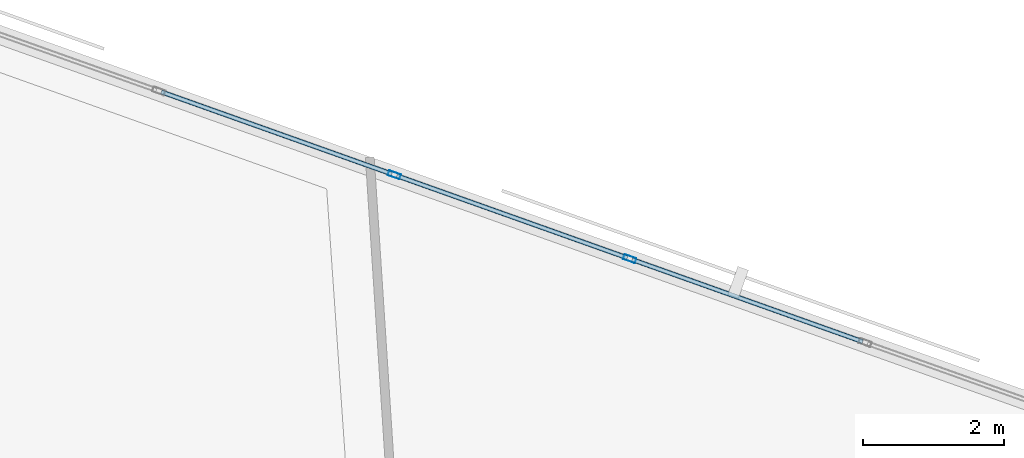
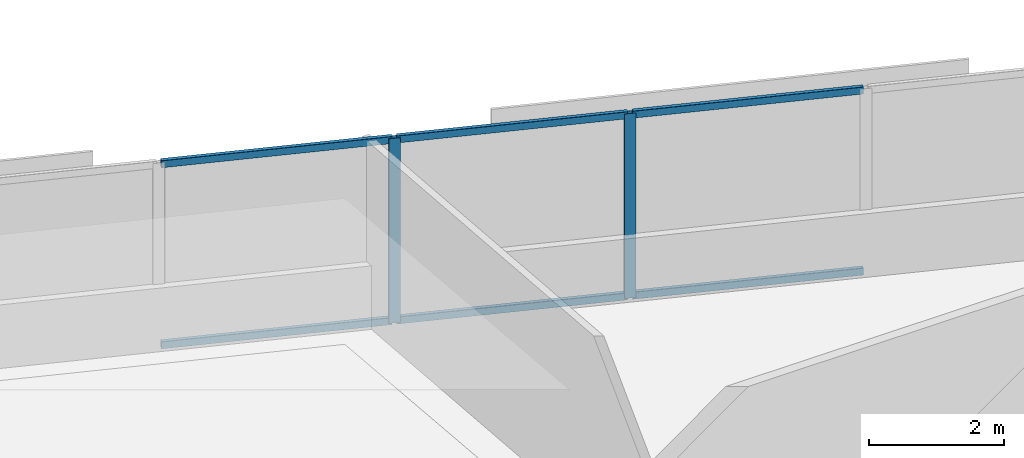
# One storey, part 8 of 16: 8 members, 1 element without a shape of its own.
"""IFC4 building model written with IfcOpenShell, lengths in metres."""

from ifc_helpers import new_model, si_unit, direction, frame, origin, origin_2d, place, context, subcontext, project, spatial, hollow_rectangle, extrude, material, material_profile, profile_set, type_object, element, aggregate, save


model = new_model("IFC4")

# Units and contexts
model_context = context("Model", 3, precision=1e-05, world=origin(), true_north=direction((0.0, 1.0)))
body_context = subcontext(model_context, "Body", "Model", "MODEL_VIEW")
ifc_project = project(units=[si_unit("LENGTHUNIT", "METRE"), si_unit("AREAUNIT", "SQUARE_METRE"), si_unit("VOLUMEUNIT", "CUBIC_METRE"), si_unit("PLANEANGLEUNIT", "RADIAN"), si_unit("MASSUNIT", "GRAM", prefix="KILO")], contexts=[model_context])

# Site, building, storey
site_placement = place(None, origin())
site = spatial("IfcSite", under=ifc_project, at=site_placement, CompositionType="ELEMENT")
building_placement = place(site_placement, origin())
building = spatial("IfcBuilding", under=site, at=building_placement, Name="Narakoshi Arena Tower", CompositionType="ELEMENT")
storey_placement = place(building_placement, frame((0.0, 0.0, 132.300048828125)))
storey = spatial("IfcBuildingStorey", under=building, at=storey_placement, Name="L35", CompositionType="ELEMENT", Elevation=132.300048828125)

# Curtain wall, members
ifc_material = material(Name="Anodised bronze aluminium 6063-T6", Category="aluminium")
curtain_wall_type = type_object("IfcCurtainWallType", Name="CW-HYP-MID", PredefinedType="NOTDEFINED", material=ifc_material)
curtain_wall_placement = place(storey_placement, origin())
curtain_wall = element("IfcCurtainWall", 1, at=curtain_wall_placement, inside=storey, type_object=curtain_wall_type, Name="L35 Folded Hypotenuse Curtain Wall 2-1", PredefinedType="NOTDEFINED")
ifc_material_profile_1 = material_profile(ifc_material, hollow_rectangle(XDim=0.074951171875, YDim=0.179931640625, WallThickness=0.00390625, OuterFilletRadius=0.0048828125, at=origin_2d()), Name="MUL180x75x4")
ifc_profile_set_1 = profile_set([ifc_material_profile_1], Name="Anodised bronze aluminium 6063-T6")
member_type_1 = type_object("IfcMemberType", Name="MEM-MUL-180", PredefinedType="MULLION", material=ifc_profile_set_1)
member_1_placement = place(storey_placement, frame((81.1259765625, 65.1083984375, 0.0), z_axis=(0.0, 0.0, 1.0), x_axis=(-0.335518297139, -0.94203368957, 0.0)))
member_1 = element("IfcMember", 2, at=member_1_placement, type_object=member_type_1, Name="CW-02 mullion 3", PredefinedType="MULLION", context=body_context, shape_type="SweptSolid", body=[
    extrude(hollow_rectangle(XDim=0.074951171875, YDim=0.179931640625, WallThickness=0.00390625, OuterFilletRadius=0.0048828125, at=origin_2d()), origin(), (0.0, 0.0, 1.0), 3.33984375),
])
member_2_placement = place(storey_placement, frame((77.781494140625, 66.2998046875, 0.0), z_axis=(0.0, 0.0, 1.0), x_axis=(-0.335518297139, -0.94203368957, 0.0)))
member_2 = element("IfcMember", 3, at=member_2_placement, type_object=member_type_1, Name="CW-02 mullion 4", PredefinedType="MULLION", context=body_context, shape_type="SweptSolid", body=[
    extrude(hollow_rectangle(XDim=0.074951171875, YDim=0.179931640625, WallThickness=0.00390625, OuterFilletRadius=0.0048828125, at=origin_2d()), origin(), (0.0, 0.0, 1.0), 3.33984375),
])
ifc_material_profile_2 = material_profile(ifc_material, hollow_rectangle(XDim=0.06494140625, YDim=0.1298828125, WallThickness=0.00390625, OuterFilletRadius=0.0048828125, at=origin_2d()), Name="TRN130x65x4")
ifc_profile_set_2 = profile_set([ifc_material_profile_2], Name="Anodised bronze aluminium 6063-T6")
member_type_2 = type_object("IfcMemberType", Name="MEM-TRN-130", PredefinedType="USERDEFINED", material=ifc_profile_set_2)
member_3_placement = place(storey_placement, frame((84.435302734375, 63.929931640625, 0.032470703125), z_axis=(-0.942037165195, 0.335508538477, 0.0), x_axis=(-0.335508538477, -0.942037165195, 0.0)))
member_3 = element("IfcMember", 4, at=member_3_placement, type_object=member_type_2, Name="CW-02 transom 2.1", ObjectType="TRANSOM", PredefinedType="USERDEFINED", context=body_context, shape_type="SweptSolid", body=[
    extrude(hollow_rectangle(XDim=0.06494140625, YDim=0.1298828125, WallThickness=0.00390625, OuterFilletRadius=0.0048828125, at=origin_2d()), origin(), (0.0, 0.0, 1.0), 3.475341796875),
])
member_4_placement = place(storey_placement, frame((84.435302734375, 63.929931640625, 3.307373046875), z_axis=(-0.942037165195, 0.335508538477, 0.0), x_axis=(-0.335508538477, -0.942037165195, 0.0)))
member_4 = element("IfcMember", 5, at=member_4_placement, type_object=member_type_2, Name="CW-02 transom 2.2", ObjectType="TRANSOM", PredefinedType="USERDEFINED", context=body_context, shape_type="SweptSolid", body=[
    extrude(hollow_rectangle(XDim=0.06494140625, YDim=0.1298828125, WallThickness=0.00390625, OuterFilletRadius=0.0048828125, at=origin_2d()), origin(), (0.0, 0.0, 1.0), 3.475341796875),
])
member_5_placement = place(storey_placement, frame((81.0908203125, 65.12109375, 0.032470703125), z_axis=(-0.942037165195, 0.335508538477, 0.0), x_axis=(-0.335508538477, -0.942037165195, 0.0)))
member_5 = element("IfcMember", 6, at=member_5_placement, type_object=member_type_2, Name="CW-02 transom 3.1", ObjectType="TRANSOM", PredefinedType="USERDEFINED", context=body_context, shape_type="SweptSolid", body=[
    extrude(hollow_rectangle(XDim=0.06494140625, YDim=0.1298828125, WallThickness=0.00390625, OuterFilletRadius=0.0048828125, at=origin_2d()), origin(), (0.0, 0.0, 1.0), 3.475341796875),
])
member_6_placement = place(storey_placement, frame((81.0908203125, 65.12109375, 3.307373046875), z_axis=(-0.942037165195, 0.335508538477, 0.0), x_axis=(-0.335508538477, -0.942037165195, 0.0)))
member_6 = element("IfcMember", 7, at=member_6_placement, type_object=member_type_2, Name="CW-02 transom 3.2", ObjectType="TRANSOM", PredefinedType="USERDEFINED", context=body_context, shape_type="SweptSolid", body=[
    extrude(hollow_rectangle(XDim=0.06494140625, YDim=0.1298828125, WallThickness=0.00390625, OuterFilletRadius=0.0048828125, at=origin_2d()), origin(), (0.0, 0.0, 1.0), 3.475341796875),
])
member_7_placement = place(storey_placement, frame((77.74609375, 66.312255859375, 0.032470703125), z_axis=(-0.942029256779, 0.335530742813, 0.0), x_axis=(-0.335530742813, -0.942029256779, 0.0)))
member_7 = element("IfcMember", 8, at=member_7_placement, type_object=member_type_2, Name="CW-02 transom 4.1", ObjectType="TRANSOM", PredefinedType="USERDEFINED", context=body_context, shape_type="SweptSolid", body=[
    extrude(hollow_rectangle(XDim=0.06494140625, YDim=0.1298828125, WallThickness=0.00390625, OuterFilletRadius=0.0048828125, at=origin_2d()), origin(), (0.0, 0.0, 1.0), 3.47509765625),
])
member_8_placement = place(storey_placement, frame((77.74609375, 66.312255859375, 3.307373046875), z_axis=(-0.942029256779, 0.335530742813, 0.0), x_axis=(-0.335530742813, -0.942029256779, 0.0)))
member_8 = element("IfcMember", 9, at=member_8_placement, type_object=member_type_2, Name="CW-02 transom 4.2", ObjectType="TRANSOM", PredefinedType="USERDEFINED", context=body_context, shape_type="SweptSolid", body=[
    extrude(hollow_rectangle(XDim=0.06494140625, YDim=0.1298828125, WallThickness=0.00390625, OuterFilletRadius=0.0048828125, at=origin_2d()), origin(), (0.0, 0.0, 1.0), 3.47509765625),
])
aggregate(curtain_wall, [member_1, member_2, member_3, member_4, member_5, member_6, member_7, member_8])

save(model, "model.ifc")
